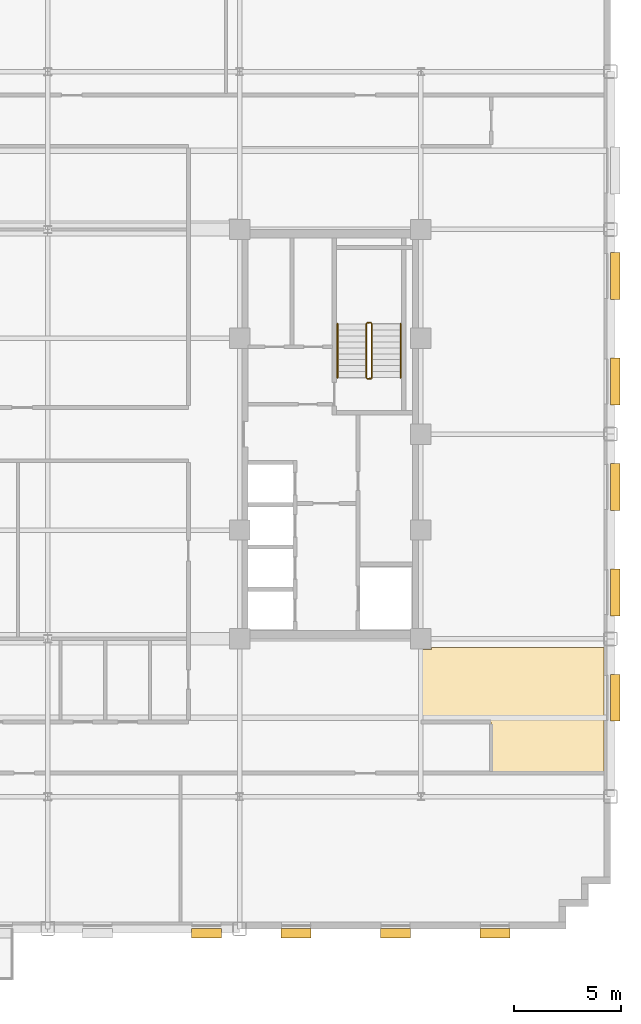
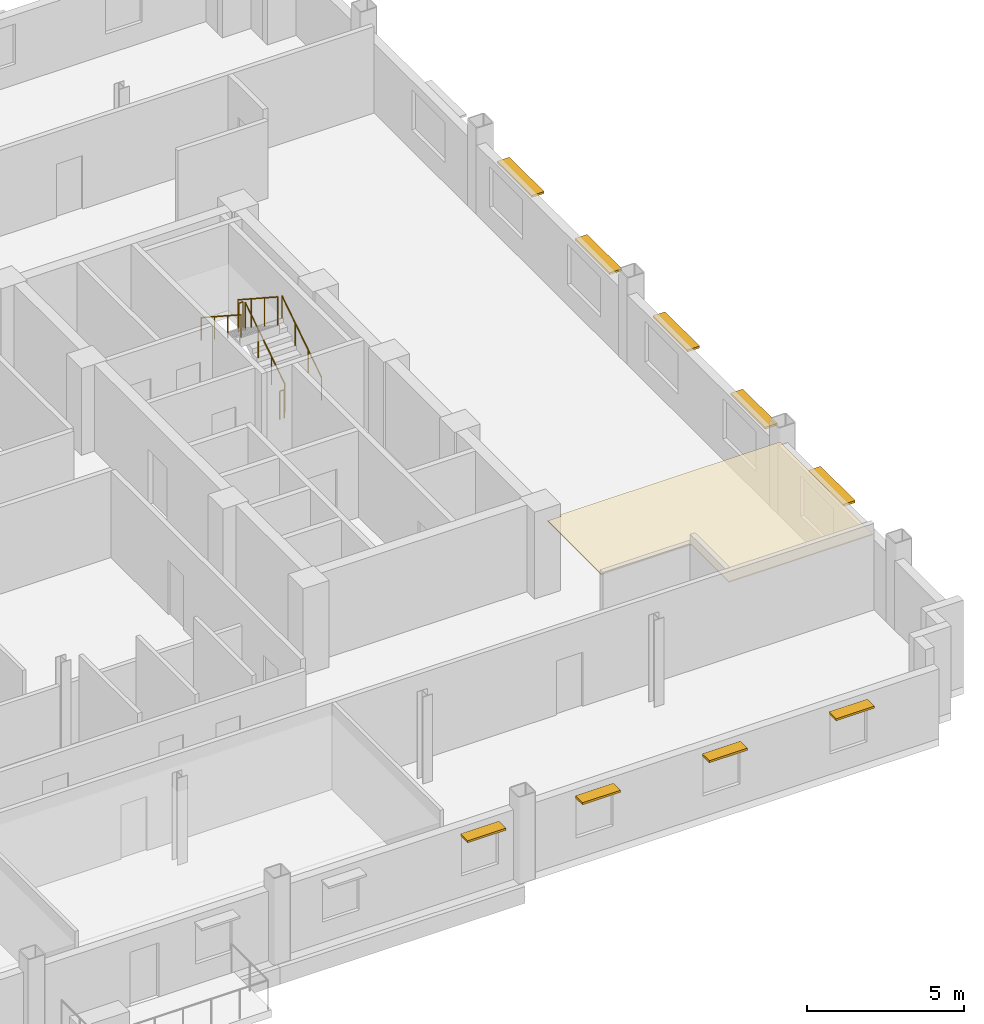
# One storey, part 12 of 13: 9 shading devices, 6 railings, 1 covering.
"""IFC4 building model written with IfcOpenShell, lengths in metres."""

import ifcopenshell
import ifcopenshell.guid

model = None  # the IFC model being written
_history = None  # IfcOwnerHistory: only IFC2X3 demands one
_inside = {}  # id of a spatial element -> (the spatial element, [elements in it])
_under = {}  # id of a project, library or spatial element -> (it, [spatial elements below it])
_declared = {}  # id of a project -> (the project, [libraries it declares])
_typed = {}  # id of a type object -> (the type object, [elements of that type])
_made_of = {}  # id of a material, layer set ... -> (it, [elements and type objects made of it])


def new_model(schema):
    """Start an empty IFC model of exactly this schema.

    Asked for "IFC4X3", IfcOpenShell would pick the latest addendum, in which some entities
    have other attributes; the version numbers below select the first issue.
    IFC2X3 requires an IfcOwnerHistory on every rooted entity: one is made here for all.
    """
    global model, _history
    if schema == "IFC4X3":
        model = ifcopenshell.file(schema_version=(4, 3, 0, 0))
    else:
        model = ifcopenshell.file(schema=schema)
    _inside.clear()
    _under.clear()
    _declared.clear()
    _typed.clear()
    _made_of.clear()
    _history = None
    if model.schema == "IFC2X3":
        org = make("IfcOrganization", Name="unknown")
        user = make(
            "IfcPersonAndOrganization",
            ThePerson=make("IfcPerson", FamilyName="unknown"),
            TheOrganization=org,
        )
        app = make(
            "IfcApplication",
            ApplicationDeveloper=org,
            Version="unknown",
            ApplicationFullName="unknown",
            ApplicationIdentifier="unknown",
        )
        _history = make(
            "IfcOwnerHistory",
            OwningUser=user,
            OwningApplication=app,
            ChangeAction="ADDED",
            CreationDate=0,
        )
    return model


def make(cls, **values):
    """One entity of the class cls with the attributes given. An attribute that is None is left unset."""
    return model.create_entity(
        cls, **{name: value for name, value in values.items() if value is not None}
    )


def rooted(cls, **values):
    """An entity with a GlobalId (a new one), such as an element, a storey or a relation."""
    return make(cls, GlobalId=ifcopenshell.guid.new(), OwnerHistory=_history, **values)


def si_unit(unit_type, name, prefix=None):
    """IfcSIUnit, for example si_unit("LENGTHUNIT", "METRE", prefix="MILLI")."""
    return make("IfcSIUnit", UnitType=unit_type, Prefix=prefix, Name=name)


def assignment(units):
    """IfcUnitAssignment: the units of a project."""
    return None if units is None else make("IfcUnitAssignment", Units=units)


def point(xyz):
    """IfcCartesianPoint."""
    return None if xyz is None else make("IfcCartesianPoint", Coordinates=xyz)


def direction(xyz):
    """IfcDirection."""
    return None if xyz is None else make("IfcDirection", DirectionRatios=xyz)


def frame(location, z_axis=None, x_axis=None):
    """IfcAxis2Placement3D, a coordinate frame: its origin and axes. An axis left out is left unset."""
    return make(
        "IfcAxis2Placement3D",
        Location=point(location),
        Axis=direction(z_axis),
        RefDirection=direction(x_axis),
    )


def frame_2d(location, x_axis=None):
    """IfcAxis2Placement2D, a coordinate frame in the plane: its origin and x axis."""
    return make(
        "IfcAxis2Placement2D", Location=point(location), RefDirection=direction(x_axis)
    )


def origin():
    """The frame at (0, 0, 0) with its axes left unset."""
    return frame((0.0, 0.0, 0.0))


def origin_2d():
    """The frame at (0, 0) in the plane with its x axis left unset."""
    return frame_2d((0.0, 0.0))


def place(relative_to, where):
    """IfcLocalPlacement: puts the frame where relative to a parent placement (None: the world)."""
    return make(
        "IfcLocalPlacement", PlacementRelTo=relative_to, RelativePlacement=where
    )


def context(
    kind, dimensions, precision=None, world=None, true_north=None, identifier=None
):
    """IfcGeometricRepresentationContext, for example the 3D "Model" context."""
    return make(
        "IfcGeometricRepresentationContext",
        ContextIdentifier=identifier,
        ContextType=kind,
        CoordinateSpaceDimension=dimensions,
        Precision=precision,
        WorldCoordinateSystem=world,
        TrueNorth=true_north,
    )


def subcontext(parent, identifier, kind, view, scale=None):
    """IfcGeometricRepresentationSubContext, for example "Body" below "Model"."""
    return make(
        "IfcGeometricRepresentationSubContext",
        ContextIdentifier=identifier,
        ContextType=kind,
        ParentContext=parent,
        TargetScale=scale,
        TargetView=view,
    )


def project(units=None, contexts=None):
    """IfcProject with its units and contexts."""
    return rooted(
        "IfcProject",
        Name="project",
        RepresentationContexts=contexts,
        UnitsInContext=assignment(units),
    )


def spatial(cls, under=None, at=None, **own):
    """A site, building, storey or space (cls), placed at a placement, below another one or the project."""
    s = rooted(cls, ObjectPlacement=at, **own)
    if under is not None:
        _under.setdefault(under.id(), (under, []))[1].append(s)
    return s


def polyline(points):
    """IfcPolyline through the points."""
    return make("IfcPolyline", Points=[point(p) for p in points])


def profile(cls, at=None, kind="AREA", **sizes):
    """A parametric profile (cls). Its sizes go by their IFC names, for example OverallWidth=200.0."""
    return make(cls, ProfileType=kind, Position=at, **sizes)


def rectangle(**sizes):
    """IfcRectangleProfileDef."""
    return profile("IfcRectangleProfileDef", **sizes)


def circle(**sizes):
    """IfcCircleProfileDef."""
    return profile("IfcCircleProfileDef", **sizes)


def outline(outer, holes=None, kind="AREA"):
    """IfcArbitraryClosedProfileDef: a profile drawn as a closed curve; with holes, ...WithVoids."""
    if holes is None:
        return make("IfcArbitraryClosedProfileDef", ProfileType=kind, OuterCurve=outer)
    return make(
        "IfcArbitraryProfileDefWithVoids",
        ProfileType=kind,
        OuterCurve=outer,
        InnerCurves=holes,
    )


def extrude(swept, where, along, depth):
    """IfcExtrudedAreaSolid: the profile swept, set in the frame where, extruded along a direction by depth."""
    return make(
        "IfcExtrudedAreaSolid",
        SweptArea=swept,
        Position=where,
        ExtrudedDirection=direction(along),
        Depth=depth,
    )


def shape(context_of_items, identifier, shape_type, items):
    """IfcShapeRepresentation: the items that make up one representation, for example the "Body"."""
    return make(
        "IfcShapeRepresentation",
        ContextOfItems=context_of_items,
        RepresentationIdentifier=identifier,
        RepresentationType=shape_type,
        Items=items,
    )


def source(mapping_origin, context_of_items, identifier, shape_type, items):
    """IfcRepresentationMap: a shape defined once, which mapped items show again and again."""
    return make(
        "IfcRepresentationMap",
        MappingOrigin=mapping_origin,
        MappedRepresentation=shape(context_of_items, identifier, shape_type, items),
    )


def transform(
    local_origin,
    x_axis=None,
    y_axis=None,
    z_axis=None,
    scale=None,
    scale2=None,
    scale3=None,
    uniform=True,
):
    """IfcCartesianTransformationOperator3D, or its non-uniform kind. x_axis, y_axis, z_axis: its Axis1, 2, 3."""
    if uniform:
        return make(
            "IfcCartesianTransformationOperator3D",
            Axis1=direction(x_axis),
            Axis2=direction(y_axis),
            LocalOrigin=point(local_origin),
            Scale=scale,
            Axis3=direction(z_axis),
        )
    return make(
        "IfcCartesianTransformationOperator3DnonUniform",
        Axis1=direction(x_axis),
        Axis2=direction(y_axis),
        LocalOrigin=point(local_origin),
        Scale=scale,
        Axis3=direction(z_axis),
        Scale2=scale2,
        Scale3=scale3,
    )


def mapped(mapping_source, mapping_target):
    """IfcMappedItem: shows the shape of a source again, moved by a transform."""
    return make(
        "IfcMappedItem", MappingSource=mapping_source, MappingTarget=mapping_target
    )


def material(Name=None, Category=None):
    """IfcMaterial."""
    return make("IfcMaterial", Name=Name, Category=Category)


def layer(
    of_material, thickness, ventilated=None, Name=None, Category=None, Priority=None
):
    """IfcMaterialLayer: one layer of a wall or slab, of a material (None: an air gap)."""
    return make(
        "IfcMaterialLayer",
        Material=of_material,
        LayerThickness=thickness,
        IsVentilated=ventilated,
        Name=Name,
        Category=Category,
        Priority=Priority,
    )


def layer_set(layers, Name=None):
    """IfcMaterialLayerSet."""
    return make("IfcMaterialLayerSet", MaterialLayers=layers, LayerSetName=Name)


def made_of(thing, what):
    """Note that an element or type object is made of a material, layer set ...; save() writes the relation."""
    if what is not None:
        _made_of.setdefault(what.id(), (what, []))[1].append(thing)
    return thing


def type_object(cls, material=None, **own):
    """A type object (cls), such as IfcWallType, which elements share."""
    return made_of(rooted(cls, **own), material)


def type_shapes(of_type, sources):
    """Give a type object the sources (RepresentationMaps) that its elements show as mapped items."""
    of_type.RepresentationMaps = sources


def element(
    cls,
    number,
    at=None,
    inside=None,
    cuts=None,
    type_object=None,
    material=None,
    context=None,
    identifier="Body",
    shape_type=None,
    held_by="IfcProductDefinitionShape",
    body=None,
    shapes=None,
    **own,
):
    """One element of the class cls, such as IfcWall. Its Tag is "e" and its number.

    at: its placement. inside: the storey or other place that contains it. cuts: it is an
    opening in that element (IfcRelVoidsElement). A single representation is given by context,
    identifier, shape_type and body (its items); several are given by shapes. held_by: the class
    of the entity that holds the representations. save() writes the other relations.
    """
    e = rooted(cls, Tag="e%d" % number, ObjectPlacement=at, **own)
    if body is not None:
        shapes = [shape(context, identifier, shape_type, body)]
    if shapes is not None:
        e.Representation = make(held_by, Representations=shapes)
    if inside is not None:
        _inside.setdefault(inside.id(), (inside, []))[1].append(e)
    if cuts is not None:
        rooted(
            "IfcRelVoidsElement", RelatingBuildingElement=cuts, RelatedOpeningElement=e
        )
    if type_object is not None:
        _typed.setdefault(type_object.id(), (type_object, []))[1].append(e)
    return made_of(e, material)


def aggregate(whole, parts):
    """IfcRelAggregates: a whole, such as a stair, and the parts it consists of."""
    return rooted("IfcRelAggregates", RelatingObject=whole, RelatedObjects=parts)


def save(model, path):
    """Write the relations noted so far, then the file.

    IfcRelAggregates (storeys below a building ...), IfcRelContainedInSpatialStructure (elements
    in a storey), IfcRelDefinesByType, IfcRelAssociatesMaterial and IfcRelDeclares: one each for
    every whole, place, type object, material and project.
    """
    for whole, parts in _under.values():
        aggregate(whole, parts)
    for where, things in _inside.values():
        rooted(
            "IfcRelContainedInSpatialStructure",
            RelatedElements=things,
            RelatingStructure=where,
        )
    for kind, things in _typed.values():
        rooted("IfcRelDefinesByType", RelatedObjects=things, RelatingType=kind)
    for what, things in _made_of.values():
        rooted("IfcRelAssociatesMaterial", RelatedObjects=things, RelatingMaterial=what)
    for by, libraries in _declared.values():
        rooted("IfcRelDeclares", RelatingContext=by, RelatedDefinitions=libraries)
    model.write(path)


model = new_model("IFC4")

# Units and contexts
model_context = context("Model", 3, precision=1e-05, world=origin(), true_north=direction((0.0, 1.0)))
body_context = subcontext(model_context, "Body", "Model", "MODEL_VIEW")
ifc_project = project(units=[si_unit("LENGTHUNIT", "METRE"), si_unit("AREAUNIT", "SQUARE_METRE"), si_unit("VOLUMEUNIT", "CUBIC_METRE"), si_unit("PLANEANGLEUNIT", "RADIAN"), si_unit("MASSUNIT", "GRAM", prefix="KILO")], contexts=[model_context])

# Site, building, storey
site_placement = place(None, origin())
site = spatial("IfcSite", under=ifc_project, at=site_placement, CompositionType="ELEMENT")
building_placement = place(site_placement, origin())
building = spatial("IfcBuilding", under=site, at=building_placement, Name="Nuvemarco Arch Tower", CompositionType="ELEMENT")
storey_placement = place(building_placement, frame((0.0, 0.0, 156.699951171875)))
storey = spatial("IfcBuildingStorey", under=building, at=storey_placement, Name="L41", CompositionType="ELEMENT", Elevation=156.699951171875)

# Covering
ifc_material_1 = material(Name="Mineral acoustic ceiling tile")
ifc_layer = layer(ifc_material_1, 0.0400390625, Name="COV-ACOUSTIC-CLG")
ifc_layer_set = layer_set([ifc_layer], Name="Mineral acoustic ceiling tile")
covering_type = type_object("IfcCoveringType", Name="COV-ACOUSTIC-CLG", PredefinedType="CEILING", material=ifc_layer_set)
covering_placement = place(storey_placement, frame((0.0, 0.0, 2.85009765625)))
element("IfcCovering", 1, at=covering_placement, inside=storey, type_object=covering_type, Name="L41 suspended acoustic ceiling 1", PredefinedType="CEILING", context=body_context, shape_type="SweptSolid", body=[
    extrude(outline(polyline([(17.5, -10.090087890625), (17.989990234375, -10.090087890625), (17.989990234375, -10.0), (26.080078125, -10.0), (26.080078125, -15.89990234375), (20.800048828125, -15.89990234375), (20.800048828125, -13.5), (17.5, -13.5), (17.5, -10.090087890625)])), origin(), (0.0, 0.0, 1.0), 0.0400390625),
])

# Railings
ifc_material_2 = material(Name="Brushed stainless steel handrail", Category="steel")
railing_type_1 = type_object("IfcRailingType", Name="RL-HANDRAIL-900", PredefinedType="HANDRAIL", material=ifc_material_2)
railing_1_placement = place(storey_placement, frame((16.550048828125, 2.64990234375, 0.1826171875)))
element("IfcRailing", 2, at=railing_1_placement, inside=storey, type_object=railing_type_1, Name="L41 ST-2 stair handrail 1", PredefinedType="HANDRAIL", context=body_context, shape_type="SweptSolid", body=[
    extrude(circle(Radius=0.02392578125, at=origin_2d()), frame((0.0, 0.0, 0.8759765625), z_axis=(0.0, 0.837786554691, 0.545997883492), x_axis=(-1.0, 0.0, 0.0)), (0.0, 0.0, 1.0), 3.008056640625),
    extrude(circle(Radius=0.02099609375, at=origin_2d()), origin(), (0.0, 0.0, 1.0), 0.851806640625),
    extrude(circle(Radius=0.02099609375, at=origin_2d()), frame((0.0, 0.840087890625, 0.54736328125)), (0.0, 0.0, 1.0), 0.851806640625),
    extrude(circle(Radius=0.02099609375, at=origin_2d()), frame((0.0, 1.679931640625, 1.094970703125)), (0.0, 0.0, 1.0), 0.851806640625),
    extrude(circle(Radius=0.02099609375, at=origin_2d()), frame((0.0, 2.52001953125, 1.642333984375)), (0.0, 0.0, 1.0), 0.851806640625),
])
railing_2_placement = place(storey_placement, frame((13.590087890625, 5.169921875, 2.007568359375)))
element("IfcRailing", 3, at=railing_2_placement, inside=storey, type_object=railing_type_1, Name="L41 ST-2 stair handrail 2", PredefinedType="HANDRAIL", context=body_context, shape_type="SweptSolid", body=[
    extrude(circle(Radius=0.02392578125, at=origin_2d()), frame((0.0, 0.0, 0.8759765625), z_axis=(0.0, -0.837749427056, 0.546054848405), x_axis=(1.0, 0.0, 0.0)), (0.0, 0.0, 1.0), 3.008056640625),
    extrude(circle(Radius=0.02099609375, at=origin_2d()), origin(), (0.0, 0.0, 1.0), 0.851806640625),
    extrude(circle(Radius=0.02099609375, at=origin_2d()), frame((0.0, -0.840087890625, 0.547607421875)), (0.0, 0.0, 1.0), 0.851806640625),
    extrude(circle(Radius=0.02099609375, at=origin_2d()), frame((0.0, -1.679931640625, 1.094970703125)), (0.0, 0.0, 1.0), 0.851806640625),
    extrude(circle(Radius=0.02099609375, at=origin_2d()), frame((0.0, -2.52001953125, 1.642578125)), (0.0, 0.0, 1.0), 0.851806640625),
])
ifc_material_3 = material(Name="Painted balustrade steel S355", Category="steel")
railing_type_2 = type_object("IfcRailingType", Name="RL-STAIR-GUARD", PredefinedType="GUARDRAIL", material=ifc_material_3)
railing_3_placement = place(storey_placement, frame((15.199951171875, 2.64990234375, 0.1826171875)))
element("IfcRailing", 4, at=railing_3_placement, inside=storey, type_object=railing_type_2, Name="L41 ST-2 stair guard 1", PredefinedType="GUARDRAIL", context=body_context, shape_type="SweptSolid", body=[
    extrude(circle(Radius=0.02392578125, at=origin_2d()), frame((0.0, 0.0, 1.09619140625), z_axis=(0.0, 0.837786554691, 0.545997883492), x_axis=(-1.0, 0.0, 0.0)), (0.0, 0.0, 1.0), 3.008056640625),
    extrude(circle(Radius=0.02099609375, at=origin_2d()), origin(), (0.0, 0.0, 1.0), 1.072021484375),
    extrude(circle(Radius=0.02099609375, at=origin_2d()), frame((0.0, 0.840087890625, 0.54736328125)), (0.0, 0.0, 1.0), 1.072021484375),
    extrude(circle(Radius=0.02099609375, at=origin_2d()), frame((0.0, 1.679931640625, 1.094970703125)), (0.0, 0.0, 1.0), 1.072021484375),
    extrude(circle(Radius=0.02099609375, at=origin_2d()), frame((0.0, 2.52001953125, 1.642333984375)), (0.0, 0.0, 1.0), 1.072021484375),
])
railing_4_placement = place(storey_placement, frame((15.14990234375, 5.219970703125, 1.824951171875)))
element("IfcRailing", 5, at=railing_4_placement, inside=storey, type_object=railing_type_2, Name="L41 ST-2 stair guard 2", PredefinedType="GUARDRAIL", context=body_context, shape_type="SweptSolid", body=[
    extrude(circle(Radius=0.02392578125, at=origin_2d()), frame((0.0, 0.0, 1.09619140625), z_axis=(-1.0, 0.0, 0.0), x_axis=(0.0, -1.0, 0.0)), (0.0, 0.0, 1.0), 0.159912109375),
    extrude(circle(Radius=0.02099609375, at=origin_2d()), origin(), (0.0, 0.0, 1.0), 1.072021484375),
    extrude(circle(Radius=0.02099609375, at=origin_2d()), frame((-0.159912109375, 0.0, 0.0)), (0.0, 0.0, 1.0), 1.072021484375),
])
railing_5_placement = place(storey_placement, frame((14.93994140625, 5.169921875, 2.007568359375)))
element("IfcRailing", 6, at=railing_5_placement, inside=storey, type_object=railing_type_2, Name="L41 ST-2 stair guard 3", PredefinedType="GUARDRAIL", context=body_context, shape_type="SweptSolid", body=[
    extrude(circle(Radius=0.02392578125, at=origin_2d()), frame((0.0, 0.0, 1.09619140625), z_axis=(0.0, -0.837749427056, 0.546054848405), x_axis=(1.0, 0.0, 0.0)), (0.0, 0.0, 1.0), 3.008056640625),
    extrude(circle(Radius=0.02099609375, at=origin_2d()), origin(), (0.0, 0.0, 1.0), 1.072021484375),
    extrude(circle(Radius=0.02099609375, at=origin_2d()), frame((0.0, -0.840087890625, 0.547607421875)), (0.0, 0.0, 1.0), 1.072021484375),
    extrude(circle(Radius=0.02099609375, at=origin_2d()), frame((0.0, -1.679931640625, 1.094970703125)), (0.0, 0.0, 1.0), 1.072021484375),
    extrude(circle(Radius=0.02099609375, at=origin_2d()), frame((0.0, -2.52001953125, 1.642578125)), (0.0, 0.0, 1.0), 1.072021484375),
])
railing_6_placement = place(storey_placement, frame((15.14990234375, 2.60009765625, 0.0)))
element("IfcRailing", 7, at=railing_6_placement, inside=storey, type_object=railing_type_2, Name="L41 ST-2 stair guard 4", PredefinedType="GUARDRAIL", context=body_context, shape_type="SweptSolid", body=[
    extrude(circle(Radius=0.02392578125, at=origin_2d()), frame((0.0, 0.0, 1.09619140625), z_axis=(-1.0, 0.0, 0.0), x_axis=(0.0, -1.0, 0.0)), (0.0, 0.0, 1.0), 0.159912109375),
    extrude(circle(Radius=0.02099609375, at=origin_2d()), origin(), (0.0, 0.0, 1.0), 1.072021484375),
    extrude(circle(Radius=0.02099609375, at=origin_2d()), frame((-0.159912109375, 0.0, 0.0)), (0.0, 0.0, 1.0), 1.072021484375),
])

# Shading devices
ifc_material_4 = material(Name="Anodised aluminium 6063-T6", Category="aluminium")
shading_device_type_1 = type_object("IfcShadingDeviceType", Name="SHD-BRISE-SOLEIL", PredefinedType="USERDEFINED", material=ifc_material_4)
shared_shape_1 = source(origin(), body_context, "Body", "SweptSolid", [
    extrude(rectangle(XDim=2.199951171875, YDim=0.449951171875, at=origin_2d()), origin(), (0.0, 0.0, 1.0), 0.080078125),
])
type_shapes(shading_device_type_1, [shared_shape_1])
for number, where, z_axis, x_axis, name in (
    (8, (26.614990234375, -12.364990234375, 2.364990234375), (0.0, 0.0, 1.0), (0.0, 1.0, 0.0), "L41 horizontal brise-soleil sunshade"),
    (9, (26.614990234375, -7.4189453125, 2.364990234375), (0.0, 0.0, 1.0), (0.0, 1.0, 0.0), "L41 horizontal brise-soleil sunshade"),
    (10, (26.614990234375, -2.472900390625, 2.364990234375), (0.0, 0.0, 1.0), (0.0, 1.0, 0.0), "L41 horizontal brise-soleil sunshade"),
    (11, (26.614990234375, 2.472900390625, 2.364990234375), (0.0, 0.0, 1.0), (0.0, 1.0, 0.0), "L41 horizontal brise-soleil sunshade"),
    (12, (26.614990234375, 7.4189453125, 2.364990234375), (0.0, 0.0, 1.0), (0.0, 1.0, 0.0), "L41 horizontal brise-soleil sunshade"),
):
    element("IfcShadingDevice", number, at=place(storey_placement, frame(where, z_axis=z_axis, x_axis=x_axis)), inside=storey, type_object=shading_device_type_1, Name=name, ObjectType="SUNSHADE", PredefinedType="USERDEFINED", context=body_context, shape_type="MappedRepresentation", body=[
        mapped(shared_shape_1, transform((0.0, 0.0, 0.0), scale=1.0)),
    ])
shading_device_type_2 = type_object("IfcShadingDeviceType", Name="SHD-BRISE-NARROW", PredefinedType="USERDEFINED", material=ifc_material_4)
shared_shape_2 = source(origin(), body_context, "Body", "SweptSolid", [
    extrude(rectangle(XDim=1.39990234375, YDim=0.449951171875, at=origin_2d()), origin(), (0.0, 0.0, 1.0), 0.080078125),
])
type_shapes(shading_device_type_2, [shared_shape_2])
for number, where, z_axis, x_axis, name in (
    (13, (7.43994140625, -23.4150390625, 2.364990234375), (0.0, 0.0, 1.0), (1.0, 0.0, 0.0), "L41 horizontal brise-soleil sunshade"),
    (14, (11.64990234375, -23.4150390625, 2.364990234375), (0.0, 0.0, 1.0), (1.0, 0.0, 0.0), "L41 horizontal brise-soleil sunshade"),
    (15, (16.31005859375, -23.4150390625, 2.364990234375), (0.0, 0.0, 1.0), (1.0, 0.0, 0.0), "L41 horizontal brise-soleil sunshade"),
    (16, (20.969970703125, -23.4150390625, 2.364990234375), (0.0, 0.0, 1.0), (1.0, 0.0, 0.0), "L41 horizontal brise-soleil sunshade"),
):
    element("IfcShadingDevice", number, at=place(storey_placement, frame(where, z_axis=z_axis, x_axis=x_axis)), inside=storey, type_object=shading_device_type_2, Name=name, ObjectType="SUNSHADE", PredefinedType="USERDEFINED", context=body_context, shape_type="MappedRepresentation", body=[
        mapped(shared_shape_2, transform((0.0, 0.0, 0.0), scale=1.0)),
    ])

save(model, "model.ifc")
